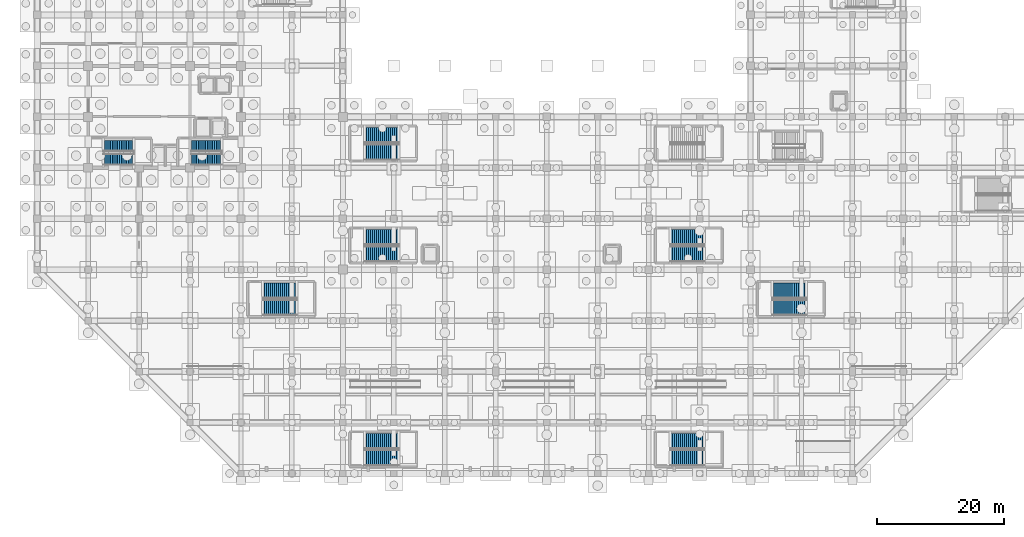
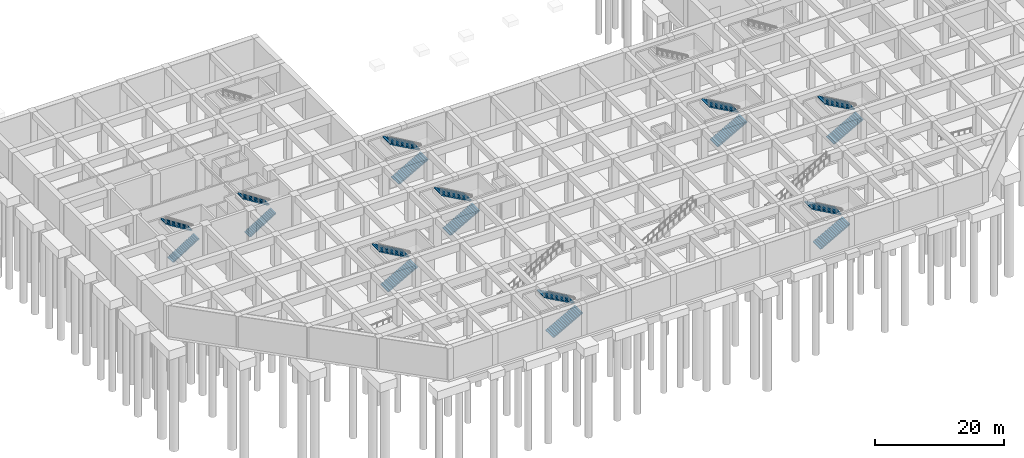
# One storey, part 20 of 26: 18 stair flights, 9 elements without a shape of their own.
"""IFC4 building model written with IfcOpenShell, lengths in metres."""

from ifc_helpers import new_model, si_unit, direction, frame, origin, place, context, subcontext, project, spatial, polyline, outline, extrude, material, type_object, element, aggregate, save


model = new_model("IFC4")

# Units and contexts
model_context = context("Model", 3, precision=1e-05, world=origin(), true_north=direction((0.0, 1.0)))
body_context = subcontext(model_context, "Body", "Model", "MODEL_VIEW")
ifc_project = project(units=[si_unit("LENGTHUNIT", "METRE"), si_unit("AREAUNIT", "SQUARE_METRE"), si_unit("VOLUMEUNIT", "CUBIC_METRE"), si_unit("PLANEANGLEUNIT", "RADIAN"), si_unit("MASSUNIT", "GRAM", prefix="KILO")], contexts=[model_context])

# Site, building, storey
site_placement = place(None, origin())
site = spatial("IfcSite", under=ifc_project, at=site_placement, CompositionType="ELEMENT")
building_placement = place(site_placement, origin())
building = spatial("IfcBuilding", under=site, at=building_placement, Name="Varnela Railside Interchange", CompositionType="ELEMENT")
storey_placement = place(building_placement, frame((0.0, 0.0, -12.60009765625)))
storey = spatial("IfcBuildingStorey", under=building, at=storey_placement, Name="B2", CompositionType="ELEMENT", Elevation=-12.60009765625)

# Stair, stair flights
ifc_material = material(Name="Concrete C40", Category="concrete")
stair_type_1 = type_object("IfcStairType", Name="Core Pressurized Stair ST-165", PredefinedType="TWO_STRAIGHT_RUN_STAIR", material=ifc_material)
stair_1_placement = place(storey_placement, origin())
stair_1 = element("IfcStair", 1, at=stair_1_placement, inside=storey, type_object=stair_type_1, Name="Stair ST-T1 (B2) (SF-034)", PredefinedType="TWO_STRAIGHT_RUN_STAIR")
stair_flight_type_1 = type_object("IfcStairFlightType", Name="Concrete Stair Flight SF-165", PredefinedType="STRAIGHT", material=ifc_material)
stair_flight_1_placement = place(storey_placement, frame((14.39990234375, 55.324951171875, 0.0), z_axis=(0.0, 0.0, 1.0), x_axis=(1.0, 0.0, 0.0)))
stair_flight_1 = element("IfcStairFlight", 2, at=stair_flight_1_placement, type_object=stair_flight_type_1, Name="ST-T1 flight 1 (SF-035)", NumberOfRisers=18, NumberOfTreads=17, PredefinedType="STRAIGHT", RiserHeight=0.175, TreadLength=0.28, context=body_context, shape_type="SweptSolid", body=[
    extrude(outline(polyline([(0.0, 0.0), (0.0, 0.175048828125), (0.280029296875, 0.175048828125), (0.280029296875, 0.35009765625), (0.56005859375, 0.35009765625), (0.56005859375, 0.52490234375), (0.840087890625, 0.52490234375), (0.840087890625, 0.699951171875), (1.1201171875, 0.699951171875), (1.1201171875, 0.875), (1.39990234375, 0.875), (1.39990234375, 1.050048828125), (1.679931640625, 1.050048828125), (1.679931640625, 1.22509765625), (1.9599609375, 1.22509765625), (1.9599609375, 1.39990234375), (2.239990234375, 1.39990234375), (2.239990234375, 1.574951171875), (2.52001953125, 1.574951171875), (2.52001953125, 1.75), (2.800048828125, 1.75), (2.800048828125, 1.925048828125), (3.080078125, 1.925048828125), (3.080078125, 2.10009765625), (3.360107421875, 2.10009765625), (3.360107421875, 2.27490234375), (3.639892578125, 2.27490234375), (3.639892578125, 2.449951171875), (3.919921875, 2.449951171875), (3.919921875, 2.625), (4.199951171875, 2.625), (4.199951171875, 2.800048828125), (4.47998046875, 2.800048828125), (4.47998046875, 2.97509765625), (4.760009765625, 2.97509765625), (4.760009765625, 3.14990234375), (4.760009765625, 2.786376953125), (0.3017578125, 0.0), (0.0, 0.0)])), frame((0.0, 0.824951171875, 0.0), z_axis=(0.0, -1.0, 0.0), x_axis=(1.0, 0.0, 0.0)), (0.0, 0.0, 1.0), 1.64990234375),
])
stair_flight_2_placement = place(storey_placement, frame((19.159912109375, 57.47509765625, 3.150146484375), z_axis=(0.0, 0.0, 1.0), x_axis=(-1.0, 0.0, 0.0)))
stair_flight_2 = element("IfcStairFlight", 3, at=stair_flight_2_placement, type_object=stair_flight_type_1, Name="ST-T1 flight 2 (SF-036)", NumberOfRisers=18, NumberOfTreads=17, PredefinedType="STRAIGHT", RiserHeight=0.175, TreadLength=0.28, context=body_context, shape_type="SweptSolid", body=[
    extrude(outline(polyline([(0.0, 0.0), (0.0, 0.175048828125), (0.280029296875, 0.175048828125), (0.280029296875, 0.35009765625), (0.56005859375, 0.35009765625), (0.56005859375, 0.52490234375), (0.840087890625, 0.52490234375), (0.840087890625, 0.699951171875), (1.1201171875, 0.699951171875), (1.1201171875, 0.875), (1.39990234375, 0.875), (1.39990234375, 1.050048828125), (1.679931640625, 1.050048828125), (1.679931640625, 1.22509765625), (1.9599609375, 1.22509765625), (1.9599609375, 1.39990234375), (2.239990234375, 1.39990234375), (2.239990234375, 1.574951171875), (2.52001953125, 1.574951171875), (2.52001953125, 1.75), (2.800048828125, 1.75), (2.800048828125, 1.925048828125), (3.080078125, 1.925048828125), (3.080078125, 2.10009765625), (3.360107421875, 2.10009765625), (3.360107421875, 2.27490234375), (3.639892578125, 2.27490234375), (3.639892578125, 2.449951171875), (3.919921875, 2.449951171875), (3.919921875, 2.625), (4.199951171875, 2.625), (4.199951171875, 2.800048828125), (4.47998046875, 2.800048828125), (4.47998046875, 2.97509765625), (4.760009765625, 2.97509765625), (4.760009765625, 3.14990234375), (4.760009765625, 2.786376953125), (0.3017578125, 0.0), (0.0, 0.0)])), frame((0.0, 0.824951171875, 0.0), z_axis=(0.0, -1.0, 0.0), x_axis=(1.0, 0.0, 0.0)), (0.0, 0.0, 1.0), 1.64990234375),
])
aggregate(stair_1, [stair_flight_1, stair_flight_2])

stair_2_placement = place(storey_placement, origin())
stair_2 = element("IfcStair", 4, at=stair_2_placement, inside=storey, type_object=stair_type_1, Name="Stair ST-T2 (B2) (SF-037)", PredefinedType="TWO_STRAIGHT_RUN_STAIR")
stair_flight_3_placement = place(storey_placement, frame((28.199951171875, 55.324951171875, 0.0), z_axis=(0.0, 0.0, 1.0), x_axis=(1.0, 0.0, 0.0)))
stair_flight_3 = element("IfcStairFlight", 5, at=stair_flight_3_placement, type_object=stair_flight_type_1, Name="ST-T2 flight 1 (SF-038)", NumberOfRisers=18, NumberOfTreads=17, PredefinedType="STRAIGHT", RiserHeight=0.175, TreadLength=0.28, context=body_context, shape_type="SweptSolid", body=[
    extrude(outline(polyline([(0.0, 0.0), (0.0, 0.175048828125), (0.280029296875, 0.175048828125), (0.280029296875, 0.35009765625), (0.56005859375, 0.35009765625), (0.56005859375, 0.52490234375), (0.840087890625, 0.52490234375), (0.840087890625, 0.699951171875), (1.1201171875, 0.699951171875), (1.1201171875, 0.875), (1.39990234375, 0.875), (1.39990234375, 1.050048828125), (1.679931640625, 1.050048828125), (1.679931640625, 1.22509765625), (1.9599609375, 1.22509765625), (1.9599609375, 1.39990234375), (2.239990234375, 1.39990234375), (2.239990234375, 1.574951171875), (2.52001953125, 1.574951171875), (2.52001953125, 1.75), (2.800048828125, 1.75), (2.800048828125, 1.925048828125), (3.080078125, 1.925048828125), (3.080078125, 2.10009765625), (3.360107421875, 2.10009765625), (3.360107421875, 2.27490234375), (3.639892578125, 2.27490234375), (3.639892578125, 2.449951171875), (3.919921875, 2.449951171875), (3.919921875, 2.625), (4.199951171875, 2.625), (4.199951171875, 2.800048828125), (4.47998046875, 2.800048828125), (4.47998046875, 2.97509765625), (4.760009765625, 2.97509765625), (4.760009765625, 3.14990234375), (4.760009765625, 2.786376953125), (0.3017578125, 0.0), (0.0, 0.0)])), frame((0.0, 0.824951171875, 0.0), z_axis=(0.0, -1.0, 0.0), x_axis=(1.0, 0.0, 0.0)), (0.0, 0.0, 1.0), 1.64990234375),
])
stair_flight_4_placement = place(storey_placement, frame((32.9599609375, 57.47509765625, 3.150146484375), z_axis=(0.0, 0.0, 1.0), x_axis=(-1.0, 0.0, 0.0)))
stair_flight_4 = element("IfcStairFlight", 6, at=stair_flight_4_placement, type_object=stair_flight_type_1, Name="ST-T2 flight 2 (SF-039)", NumberOfRisers=18, NumberOfTreads=17, PredefinedType="STRAIGHT", RiserHeight=0.175, TreadLength=0.28, context=body_context, shape_type="SweptSolid", body=[
    extrude(outline(polyline([(0.0, 0.0), (0.0, 0.175048828125), (0.280029296875, 0.175048828125), (0.280029296875, 0.35009765625), (0.56005859375, 0.35009765625), (0.56005859375, 0.52490234375), (0.840087890625, 0.52490234375), (0.840087890625, 0.699951171875), (1.1201171875, 0.699951171875), (1.1201171875, 0.875), (1.39990234375, 0.875), (1.39990234375, 1.050048828125), (1.679931640625, 1.050048828125), (1.679931640625, 1.22509765625), (1.9599609375, 1.22509765625), (1.9599609375, 1.39990234375), (2.239990234375, 1.39990234375), (2.239990234375, 1.574951171875), (2.52001953125, 1.574951171875), (2.52001953125, 1.75), (2.800048828125, 1.75), (2.800048828125, 1.925048828125), (3.080078125, 1.925048828125), (3.080078125, 2.10009765625), (3.360107421875, 2.10009765625), (3.360107421875, 2.27490234375), (3.639892578125, 2.27490234375), (3.639892578125, 2.449951171875), (3.919921875, 2.449951171875), (3.919921875, 2.625), (4.199951171875, 2.625), (4.199951171875, 2.800048828125), (4.47998046875, 2.800048828125), (4.47998046875, 2.97509765625), (4.760009765625, 2.97509765625), (4.760009765625, 3.14990234375), (4.760009765625, 2.786376953125), (0.3017578125, 0.0), (0.0, 0.0)])), frame((0.0, 0.824951171875, 0.0), z_axis=(0.0, -1.0, 0.0), x_axis=(1.0, 0.0, 0.0)), (0.0, 0.0, 1.0), 1.64990234375),
])
aggregate(stair_2, [stair_flight_3, stair_flight_4])

stair_type_2 = type_object("IfcStairType", Name="Concourse Public Stair ST-235", PredefinedType="TWO_STRAIGHT_RUN_STAIR", material=ifc_material)
stair_3_placement = place(storey_placement, origin())
stair_3 = element("IfcStair", 7, at=stair_3_placement, inside=storey, type_object=stair_type_2, Name="Stair ST-C1 (B2) (SF-001)", PredefinedType="TWO_STRAIGHT_RUN_STAIR")
stair_flight_type_2 = type_object("IfcStairFlightType", Name="Concrete Stair Flight SF-235", PredefinedType="STRAIGHT", material=ifc_material)
stair_flight_5_placement = place(storey_placement, frame((55.39990234375, 40.47509765625, 0.0), z_axis=(0.0, 0.0, 1.0), x_axis=(1.0, 0.0, 0.0)))
stair_flight_5 = element("IfcStairFlight", 8, at=stair_flight_5_placement, type_object=stair_flight_type_2, Name="ST-C1 flight 1 (SF-002)", NumberOfRisers=18, NumberOfTreads=17, PredefinedType="STRAIGHT", RiserHeight=0.175, TreadLength=0.315, context=body_context, shape_type="SweptSolid", body=[
    extrude(outline(polyline([(0.0, 0.0), (0.0, 0.175048828125), (0.31494140625, 0.175048828125), (0.31494140625, 0.35009765625), (0.6298828125, 0.35009765625), (0.6298828125, 0.52490234375), (0.945068359375, 0.52490234375), (0.945068359375, 0.699951171875), (1.260009765625, 0.699951171875), (1.260009765625, 0.875), (1.574951171875, 0.875), (1.574951171875, 1.050048828125), (1.889892578125, 1.050048828125), (1.889892578125, 1.22509765625), (2.205078125, 1.22509765625), (2.205078125, 1.39990234375), (2.52001953125, 1.39990234375), (2.52001953125, 1.574951171875), (2.8349609375, 1.574951171875), (2.8349609375, 1.75), (3.14990234375, 1.75), (3.14990234375, 1.925048828125), (3.465087890625, 1.925048828125), (3.465087890625, 2.10009765625), (3.780029296875, 2.10009765625), (3.780029296875, 2.27490234375), (4.094970703125, 2.27490234375), (4.094970703125, 2.449951171875), (4.409912109375, 2.449951171875), (4.409912109375, 2.625), (4.72509765625, 2.625), (4.72509765625, 2.800048828125), (5.0400390625, 2.800048828125), (5.0400390625, 2.97509765625), (5.35498046875, 2.97509765625), (5.35498046875, 3.14990234375), (5.35498046875, 2.7919921875), (0.329345703125, 0.0), (0.0, 0.0)])), frame((0.0, 1.175048828125, 0.0), z_axis=(0.0, -1.0, 0.0), x_axis=(1.0, 0.0, 0.0)), (0.0, 0.0, 1.0), 2.35009765625),
])
stair_flight_6_placement = place(storey_placement, frame((60.7548828125, 43.125, 3.150146484375), z_axis=(0.0, 0.0, 1.0), x_axis=(-1.0, 0.0, 0.0)))
stair_flight_6 = element("IfcStairFlight", 9, at=stair_flight_6_placement, type_object=stair_flight_type_2, Name="ST-C1 flight 2 (SF-003)", NumberOfRisers=18, NumberOfTreads=17, PredefinedType="STRAIGHT", RiserHeight=0.175, TreadLength=0.315, context=body_context, shape_type="SweptSolid", body=[
    extrude(outline(polyline([(0.0, 0.0), (0.0, 0.175048828125), (0.31494140625, 0.175048828125), (0.31494140625, 0.35009765625), (0.6298828125, 0.35009765625), (0.6298828125, 0.52490234375), (0.945068359375, 0.52490234375), (0.945068359375, 0.699951171875), (1.260009765625, 0.699951171875), (1.260009765625, 0.875), (1.574951171875, 0.875), (1.574951171875, 1.050048828125), (1.889892578125, 1.050048828125), (1.889892578125, 1.22509765625), (2.205078125, 1.22509765625), (2.205078125, 1.39990234375), (2.52001953125, 1.39990234375), (2.52001953125, 1.574951171875), (2.8349609375, 1.574951171875), (2.8349609375, 1.75), (3.14990234375, 1.75), (3.14990234375, 1.925048828125), (3.465087890625, 1.925048828125), (3.465087890625, 2.10009765625), (3.780029296875, 2.10009765625), (3.780029296875, 2.27490234375), (4.094970703125, 2.27490234375), (4.094970703125, 2.449951171875), (4.409912109375, 2.449951171875), (4.409912109375, 2.625), (4.72509765625, 2.625), (4.72509765625, 2.800048828125), (5.0400390625, 2.800048828125), (5.0400390625, 2.97509765625), (5.35498046875, 2.97509765625), (5.35498046875, 3.14990234375), (5.35498046875, 2.7919921875), (0.329345703125, 0.0), (0.0, 0.0)])), frame((0.0, 1.175048828125, 0.0), z_axis=(0.0, -1.0, 0.0), x_axis=(1.0, 0.0, 0.0)), (0.0, 0.0, 1.0), 2.35009765625),
])
aggregate(stair_3, [stair_flight_5, stair_flight_6])

stair_4_placement = place(storey_placement, origin())
stair_4 = element("IfcStair", 10, at=stair_4_placement, inside=storey, type_object=stair_type_2, Name="Stair ST-C2 (B2) (SF-004)", PredefinedType="TWO_STRAIGHT_RUN_STAIR")
stair_flight_7_placement = place(storey_placement, frame((103.39990234375, 40.47509765625, 0.0), z_axis=(0.0, 0.0, 1.0), x_axis=(1.0, 0.0, 0.0)))
stair_flight_7 = element("IfcStairFlight", 11, at=stair_flight_7_placement, type_object=stair_flight_type_2, Name="ST-C2 flight 1 (SF-005)", NumberOfRisers=18, NumberOfTreads=17, PredefinedType="STRAIGHT", RiserHeight=0.175, TreadLength=0.315, context=body_context, shape_type="SweptSolid", body=[
    extrude(outline(polyline([(0.0, 0.0), (0.0, 0.175048828125), (0.31494140625, 0.175048828125), (0.31494140625, 0.35009765625), (0.6298828125, 0.35009765625), (0.6298828125, 0.52490234375), (0.945068359375, 0.52490234375), (0.945068359375, 0.699951171875), (1.260009765625, 0.699951171875), (1.260009765625, 0.875), (1.574951171875, 0.875), (1.574951171875, 1.050048828125), (1.889892578125, 1.050048828125), (1.889892578125, 1.22509765625), (2.205078125, 1.22509765625), (2.205078125, 1.39990234375), (2.52001953125, 1.39990234375), (2.52001953125, 1.574951171875), (2.8349609375, 1.574951171875), (2.8349609375, 1.75), (3.14990234375, 1.75), (3.14990234375, 1.925048828125), (3.465087890625, 1.925048828125), (3.465087890625, 2.10009765625), (3.780029296875, 2.10009765625), (3.780029296875, 2.27490234375), (4.094970703125, 2.27490234375), (4.094970703125, 2.449951171875), (4.409912109375, 2.449951171875), (4.409912109375, 2.625), (4.72509765625, 2.625), (4.72509765625, 2.800048828125), (5.0400390625, 2.800048828125), (5.0400390625, 2.97509765625), (5.35498046875, 2.97509765625), (5.35498046875, 3.14990234375), (5.35498046875, 2.7919921875), (0.329345703125, 0.0), (0.0, 0.0)])), frame((0.0, 1.175048828125, 0.0), z_axis=(0.0, -1.0, 0.0), x_axis=(1.0, 0.0, 0.0)), (0.0, 0.0, 1.0), 2.35009765625),
])
stair_flight_8_placement = place(storey_placement, frame((108.7548828125, 43.125, 3.150146484375), z_axis=(0.0, 0.0, 1.0), x_axis=(-1.0, 0.0, 0.0)))
stair_flight_8 = element("IfcStairFlight", 12, at=stair_flight_8_placement, type_object=stair_flight_type_2, Name="ST-C2 flight 2 (SF-006)", NumberOfRisers=18, NumberOfTreads=17, PredefinedType="STRAIGHT", RiserHeight=0.175, TreadLength=0.315, context=body_context, shape_type="SweptSolid", body=[
    extrude(outline(polyline([(0.0, 0.0), (0.0, 0.175048828125), (0.31494140625, 0.175048828125), (0.31494140625, 0.35009765625), (0.6298828125, 0.35009765625), (0.6298828125, 0.52490234375), (0.945068359375, 0.52490234375), (0.945068359375, 0.699951171875), (1.260009765625, 0.699951171875), (1.260009765625, 0.875), (1.574951171875, 0.875), (1.574951171875, 1.050048828125), (1.889892578125, 1.050048828125), (1.889892578125, 1.22509765625), (2.205078125, 1.22509765625), (2.205078125, 1.39990234375), (2.52001953125, 1.39990234375), (2.52001953125, 1.574951171875), (2.8349609375, 1.574951171875), (2.8349609375, 1.75), (3.14990234375, 1.75), (3.14990234375, 1.925048828125), (3.465087890625, 1.925048828125), (3.465087890625, 2.10009765625), (3.780029296875, 2.10009765625), (3.780029296875, 2.27490234375), (4.094970703125, 2.27490234375), (4.094970703125, 2.449951171875), (4.409912109375, 2.449951171875), (4.409912109375, 2.625), (4.72509765625, 2.625), (4.72509765625, 2.800048828125), (5.0400390625, 2.800048828125), (5.0400390625, 2.97509765625), (5.35498046875, 2.97509765625), (5.35498046875, 3.14990234375), (5.35498046875, 2.7919921875), (0.329345703125, 0.0), (0.0, 0.0)])), frame((0.0, 1.175048828125, 0.0), z_axis=(0.0, -1.0, 0.0), x_axis=(1.0, 0.0, 0.0)), (0.0, 0.0, 1.0), 2.35009765625),
])
aggregate(stair_4, [stair_flight_7, stair_flight_8])

stair_5_placement = place(storey_placement, origin())
stair_5 = element("IfcStair", 13, at=stair_5_placement, inside=storey, type_object=stair_type_2, Name="Stair ST-C3 (B2) (SF-007)", PredefinedType="TWO_STRAIGHT_RUN_STAIR")
stair_flight_9_placement = place(storey_placement, frame((55.39990234375, 56.47509765625, 0.0), z_axis=(0.0, 0.0, 1.0), x_axis=(1.0, 0.0, 0.0)))
stair_flight_9 = element("IfcStairFlight", 14, at=stair_flight_9_placement, type_object=stair_flight_type_2, Name="ST-C3 flight 1 (SF-008)", NumberOfRisers=18, NumberOfTreads=17, PredefinedType="STRAIGHT", RiserHeight=0.175, TreadLength=0.315, context=body_context, shape_type="SweptSolid", body=[
    extrude(outline(polyline([(0.0, 0.0), (0.0, 0.175048828125), (0.31494140625, 0.175048828125), (0.31494140625, 0.35009765625), (0.6298828125, 0.35009765625), (0.6298828125, 0.52490234375), (0.945068359375, 0.52490234375), (0.945068359375, 0.699951171875), (1.260009765625, 0.699951171875), (1.260009765625, 0.875), (1.574951171875, 0.875), (1.574951171875, 1.050048828125), (1.889892578125, 1.050048828125), (1.889892578125, 1.22509765625), (2.205078125, 1.22509765625), (2.205078125, 1.39990234375), (2.52001953125, 1.39990234375), (2.52001953125, 1.574951171875), (2.8349609375, 1.574951171875), (2.8349609375, 1.75), (3.14990234375, 1.75), (3.14990234375, 1.925048828125), (3.465087890625, 1.925048828125), (3.465087890625, 2.10009765625), (3.780029296875, 2.10009765625), (3.780029296875, 2.27490234375), (4.094970703125, 2.27490234375), (4.094970703125, 2.449951171875), (4.409912109375, 2.449951171875), (4.409912109375, 2.625), (4.72509765625, 2.625), (4.72509765625, 2.800048828125), (5.0400390625, 2.800048828125), (5.0400390625, 2.97509765625), (5.35498046875, 2.97509765625), (5.35498046875, 3.14990234375), (5.35498046875, 2.7919921875), (0.329345703125, 0.0), (0.0, 0.0)])), frame((0.0, 1.175048828125, 0.0), z_axis=(0.0, -1.0, 0.0), x_axis=(1.0, 0.0, 0.0)), (0.0, 0.0, 1.0), 2.35009765625),
])
stair_flight_10_placement = place(storey_placement, frame((60.7548828125, 59.125, 3.150146484375), z_axis=(0.0, 0.0, 1.0), x_axis=(-1.0, 0.0, 0.0)))
stair_flight_10 = element("IfcStairFlight", 15, at=stair_flight_10_placement, type_object=stair_flight_type_2, Name="ST-C3 flight 2 (SF-009)", NumberOfRisers=18, NumberOfTreads=17, PredefinedType="STRAIGHT", RiserHeight=0.175, TreadLength=0.315, context=body_context, shape_type="SweptSolid", body=[
    extrude(outline(polyline([(0.0, 0.0), (0.0, 0.175048828125), (0.31494140625, 0.175048828125), (0.31494140625, 0.35009765625), (0.6298828125, 0.35009765625), (0.6298828125, 0.52490234375), (0.945068359375, 0.52490234375), (0.945068359375, 0.699951171875), (1.260009765625, 0.699951171875), (1.260009765625, 0.875), (1.574951171875, 0.875), (1.574951171875, 1.050048828125), (1.889892578125, 1.050048828125), (1.889892578125, 1.22509765625), (2.205078125, 1.22509765625), (2.205078125, 1.39990234375), (2.52001953125, 1.39990234375), (2.52001953125, 1.574951171875), (2.8349609375, 1.574951171875), (2.8349609375, 1.75), (3.14990234375, 1.75), (3.14990234375, 1.925048828125), (3.465087890625, 1.925048828125), (3.465087890625, 2.10009765625), (3.780029296875, 2.10009765625), (3.780029296875, 2.27490234375), (4.094970703125, 2.27490234375), (4.094970703125, 2.449951171875), (4.409912109375, 2.449951171875), (4.409912109375, 2.625), (4.72509765625, 2.625), (4.72509765625, 2.800048828125), (5.0400390625, 2.800048828125), (5.0400390625, 2.97509765625), (5.35498046875, 2.97509765625), (5.35498046875, 3.14990234375), (5.35498046875, 2.7919921875), (0.329345703125, 0.0), (0.0, 0.0)])), frame((0.0, 1.175048828125, 0.0), z_axis=(0.0, -1.0, 0.0), x_axis=(1.0, 0.0, 0.0)), (0.0, 0.0, 1.0), 2.35009765625),
])
aggregate(stair_5, [stair_flight_9, stair_flight_10])

stair_6_placement = place(storey_placement, origin())
stair_6 = element("IfcStair", 16, at=stair_6_placement, inside=storey, type_object=stair_type_2, Name="Stair ST-M1 (B2) (SF-022)", PredefinedType="TWO_STRAIGHT_RUN_STAIR")
stair_flight_11_placement = place(storey_placement, frame((39.39990234375, 32.074951171875, 0.0), z_axis=(0.0, 0.0, 1.0), x_axis=(1.0, 0.0, 0.0)))
stair_flight_11 = element("IfcStairFlight", 17, at=stair_flight_11_placement, type_object=stair_flight_type_2, Name="ST-M1 flight 1 (SF-023)", NumberOfRisers=18, NumberOfTreads=17, PredefinedType="STRAIGHT", RiserHeight=0.175, TreadLength=0.315, context=body_context, shape_type="SweptSolid", body=[
    extrude(outline(polyline([(0.0, 0.0), (0.0, 0.175048828125), (0.31494140625, 0.175048828125), (0.31494140625, 0.35009765625), (0.6298828125, 0.35009765625), (0.6298828125, 0.52490234375), (0.945068359375, 0.52490234375), (0.945068359375, 0.699951171875), (1.260009765625, 0.699951171875), (1.260009765625, 0.875), (1.574951171875, 0.875), (1.574951171875, 1.050048828125), (1.889892578125, 1.050048828125), (1.889892578125, 1.22509765625), (2.205078125, 1.22509765625), (2.205078125, 1.39990234375), (2.52001953125, 1.39990234375), (2.52001953125, 1.574951171875), (2.8349609375, 1.574951171875), (2.8349609375, 1.75), (3.14990234375, 1.75), (3.14990234375, 1.925048828125), (3.465087890625, 1.925048828125), (3.465087890625, 2.10009765625), (3.780029296875, 2.10009765625), (3.780029296875, 2.27490234375), (4.094970703125, 2.27490234375), (4.094970703125, 2.449951171875), (4.409912109375, 2.449951171875), (4.409912109375, 2.625), (4.72509765625, 2.625), (4.72509765625, 2.800048828125), (5.0400390625, 2.800048828125), (5.0400390625, 2.97509765625), (5.35498046875, 2.97509765625), (5.35498046875, 3.14990234375), (5.35498046875, 2.7919921875), (0.329345703125, 0.0), (0.0, 0.0)])), frame((0.0, 1.175048828125, 0.0), z_axis=(0.0, -1.0, 0.0), x_axis=(1.0, 0.0, 0.0)), (0.0, 0.0, 1.0), 2.35009765625),
])
stair_flight_12_placement = place(storey_placement, frame((44.7548828125, 34.72509765625, 3.150146484375), z_axis=(0.0, 0.0, 1.0), x_axis=(-1.0, 0.0, 0.0)))
stair_flight_12 = element("IfcStairFlight", 18, at=stair_flight_12_placement, type_object=stair_flight_type_2, Name="ST-M1 flight 2 (SF-024)", NumberOfRisers=18, NumberOfTreads=17, PredefinedType="STRAIGHT", RiserHeight=0.175, TreadLength=0.315, context=body_context, shape_type="SweptSolid", body=[
    extrude(outline(polyline([(0.0, 0.0), (0.0, 0.175048828125), (0.31494140625, 0.175048828125), (0.31494140625, 0.35009765625), (0.6298828125, 0.35009765625), (0.6298828125, 0.52490234375), (0.945068359375, 0.52490234375), (0.945068359375, 0.699951171875), (1.260009765625, 0.699951171875), (1.260009765625, 0.875), (1.574951171875, 0.875), (1.574951171875, 1.050048828125), (1.889892578125, 1.050048828125), (1.889892578125, 1.22509765625), (2.205078125, 1.22509765625), (2.205078125, 1.39990234375), (2.52001953125, 1.39990234375), (2.52001953125, 1.574951171875), (2.8349609375, 1.574951171875), (2.8349609375, 1.75), (3.14990234375, 1.75), (3.14990234375, 1.925048828125), (3.465087890625, 1.925048828125), (3.465087890625, 2.10009765625), (3.780029296875, 2.10009765625), (3.780029296875, 2.27490234375), (4.094970703125, 2.27490234375), (4.094970703125, 2.449951171875), (4.409912109375, 2.449951171875), (4.409912109375, 2.625), (4.72509765625, 2.625), (4.72509765625, 2.800048828125), (5.0400390625, 2.800048828125), (5.0400390625, 2.97509765625), (5.35498046875, 2.97509765625), (5.35498046875, 3.14990234375), (5.35498046875, 2.7919921875), (0.329345703125, 0.0), (0.0, 0.0)])), frame((0.0, 1.175048828125, 0.0), z_axis=(0.0, -1.0, 0.0), x_axis=(1.0, 0.0, 0.0)), (0.0, 0.0, 1.0), 2.35009765625),
])
aggregate(stair_6, [stair_flight_11, stair_flight_12])

stair_7_placement = place(storey_placement, origin())
stair_7 = element("IfcStair", 19, at=stair_7_placement, inside=storey, type_object=stair_type_2, Name="Stair ST-M2 (B2) (SF-025)", PredefinedType="TWO_STRAIGHT_RUN_STAIR")
stair_flight_13_placement = place(storey_placement, frame((119.39990234375, 32.074951171875, 0.0), z_axis=(0.0, 0.0, 1.0), x_axis=(1.0, 0.0, 0.0)))
stair_flight_13 = element("IfcStairFlight", 20, at=stair_flight_13_placement, type_object=stair_flight_type_2, Name="ST-M2 flight 1 (SF-026)", NumberOfRisers=18, NumberOfTreads=17, PredefinedType="STRAIGHT", RiserHeight=0.175, TreadLength=0.315, context=body_context, shape_type="SweptSolid", body=[
    extrude(outline(polyline([(0.0, 0.0), (0.0, 0.175048828125), (0.31494140625, 0.175048828125), (0.31494140625, 0.35009765625), (0.6298828125, 0.35009765625), (0.6298828125, 0.52490234375), (0.945068359375, 0.52490234375), (0.945068359375, 0.699951171875), (1.260009765625, 0.699951171875), (1.260009765625, 0.875), (1.574951171875, 0.875), (1.574951171875, 1.050048828125), (1.889892578125, 1.050048828125), (1.889892578125, 1.22509765625), (2.205078125, 1.22509765625), (2.205078125, 1.39990234375), (2.52001953125, 1.39990234375), (2.52001953125, 1.574951171875), (2.8349609375, 1.574951171875), (2.8349609375, 1.75), (3.14990234375, 1.75), (3.14990234375, 1.925048828125), (3.465087890625, 1.925048828125), (3.465087890625, 2.10009765625), (3.780029296875, 2.10009765625), (3.780029296875, 2.27490234375), (4.094970703125, 2.27490234375), (4.094970703125, 2.449951171875), (4.409912109375, 2.449951171875), (4.409912109375, 2.625), (4.72509765625, 2.625), (4.72509765625, 2.800048828125), (5.0400390625, 2.800048828125), (5.0400390625, 2.97509765625), (5.35498046875, 2.97509765625), (5.35498046875, 3.14990234375), (5.35498046875, 2.7919921875), (0.329345703125, 0.0), (0.0, 0.0)])), frame((0.0, 1.175048828125, 0.0), z_axis=(0.0, -1.0, 0.0), x_axis=(1.0, 0.0, 0.0)), (0.0, 0.0, 1.0), 2.35009765625),
])
stair_flight_14_placement = place(storey_placement, frame((124.7548828125, 34.72509765625, 3.150146484375), z_axis=(0.0, 0.0, 1.0), x_axis=(-1.0, 0.0, 0.0)))
stair_flight_14 = element("IfcStairFlight", 21, at=stair_flight_14_placement, type_object=stair_flight_type_2, Name="ST-M2 flight 2 (SF-027)", NumberOfRisers=18, NumberOfTreads=17, PredefinedType="STRAIGHT", RiserHeight=0.175, TreadLength=0.315, context=body_context, shape_type="SweptSolid", body=[
    extrude(outline(polyline([(0.0, 0.0), (0.0, 0.175048828125), (0.31494140625, 0.175048828125), (0.31494140625, 0.35009765625), (0.6298828125, 0.35009765625), (0.6298828125, 0.52490234375), (0.945068359375, 0.52490234375), (0.945068359375, 0.699951171875), (1.260009765625, 0.699951171875), (1.260009765625, 0.875), (1.574951171875, 0.875), (1.574951171875, 1.050048828125), (1.889892578125, 1.050048828125), (1.889892578125, 1.22509765625), (2.205078125, 1.22509765625), (2.205078125, 1.39990234375), (2.52001953125, 1.39990234375), (2.52001953125, 1.574951171875), (2.8349609375, 1.574951171875), (2.8349609375, 1.75), (3.14990234375, 1.75), (3.14990234375, 1.925048828125), (3.465087890625, 1.925048828125), (3.465087890625, 2.10009765625), (3.780029296875, 2.10009765625), (3.780029296875, 2.27490234375), (4.094970703125, 2.27490234375), (4.094970703125, 2.449951171875), (4.409912109375, 2.449951171875), (4.409912109375, 2.625), (4.72509765625, 2.625), (4.72509765625, 2.800048828125), (5.0400390625, 2.800048828125), (5.0400390625, 2.97509765625), (5.35498046875, 2.97509765625), (5.35498046875, 3.14990234375), (5.35498046875, 2.7919921875), (0.329345703125, 0.0), (0.0, 0.0)])), frame((0.0, 1.175048828125, 0.0), z_axis=(0.0, -1.0, 0.0), x_axis=(1.0, 0.0, 0.0)), (0.0, 0.0, 1.0), 2.35009765625),
])
aggregate(stair_7, [stair_flight_13, stair_flight_14])

stair_8_placement = place(storey_placement, origin())
stair_8 = element("IfcStair", 22, at=stair_8_placement, inside=storey, type_object=stair_type_2, Name="Stair ST-M3 (B2) (SF-028)", PredefinedType="TWO_STRAIGHT_RUN_STAIR")
stair_flight_15_placement = place(storey_placement, frame((55.39990234375, 8.47509765625, 0.0), z_axis=(0.0, 0.0, 1.0), x_axis=(1.0, 0.0, 0.0)))
stair_flight_15 = element("IfcStairFlight", 23, at=stair_flight_15_placement, type_object=stair_flight_type_2, Name="ST-M3 flight 1 (SF-029)", NumberOfRisers=18, NumberOfTreads=17, PredefinedType="STRAIGHT", RiserHeight=0.175, TreadLength=0.315, context=body_context, shape_type="SweptSolid", body=[
    extrude(outline(polyline([(0.0, 0.0), (0.0, 0.175048828125), (0.31494140625, 0.175048828125), (0.31494140625, 0.35009765625), (0.6298828125, 0.35009765625), (0.6298828125, 0.52490234375), (0.945068359375, 0.52490234375), (0.945068359375, 0.699951171875), (1.260009765625, 0.699951171875), (1.260009765625, 0.875), (1.574951171875, 0.875), (1.574951171875, 1.050048828125), (1.889892578125, 1.050048828125), (1.889892578125, 1.22509765625), (2.205078125, 1.22509765625), (2.205078125, 1.39990234375), (2.52001953125, 1.39990234375), (2.52001953125, 1.574951171875), (2.8349609375, 1.574951171875), (2.8349609375, 1.75), (3.14990234375, 1.75), (3.14990234375, 1.925048828125), (3.465087890625, 1.925048828125), (3.465087890625, 2.10009765625), (3.780029296875, 2.10009765625), (3.780029296875, 2.27490234375), (4.094970703125, 2.27490234375), (4.094970703125, 2.449951171875), (4.409912109375, 2.449951171875), (4.409912109375, 2.625), (4.72509765625, 2.625), (4.72509765625, 2.800048828125), (5.0400390625, 2.800048828125), (5.0400390625, 2.97509765625), (5.35498046875, 2.97509765625), (5.35498046875, 3.14990234375), (5.35498046875, 2.7919921875), (0.329345703125, 0.0), (0.0, 0.0)])), frame((0.0, 1.175048828125, 0.0), z_axis=(0.0, -1.0, 0.0), x_axis=(1.0, 0.0, 0.0)), (0.0, 0.0, 1.0), 2.35009765625),
])
stair_flight_16_placement = place(storey_placement, frame((60.7548828125, 11.125, 3.150146484375), z_axis=(0.0, 0.0, 1.0), x_axis=(-1.0, 0.0, 0.0)))
stair_flight_16 = element("IfcStairFlight", 24, at=stair_flight_16_placement, type_object=stair_flight_type_2, Name="ST-M3 flight 2 (SF-030)", NumberOfRisers=18, NumberOfTreads=17, PredefinedType="STRAIGHT", RiserHeight=0.175, TreadLength=0.315, context=body_context, shape_type="SweptSolid", body=[
    extrude(outline(polyline([(0.0, 0.0), (0.0, 0.175048828125), (0.31494140625, 0.175048828125), (0.31494140625, 0.35009765625), (0.6298828125, 0.35009765625), (0.6298828125, 0.52490234375), (0.945068359375, 0.52490234375), (0.945068359375, 0.699951171875), (1.260009765625, 0.699951171875), (1.260009765625, 0.875), (1.574951171875, 0.875), (1.574951171875, 1.050048828125), (1.889892578125, 1.050048828125), (1.889892578125, 1.22509765625), (2.205078125, 1.22509765625), (2.205078125, 1.39990234375), (2.52001953125, 1.39990234375), (2.52001953125, 1.574951171875), (2.8349609375, 1.574951171875), (2.8349609375, 1.75), (3.14990234375, 1.75), (3.14990234375, 1.925048828125), (3.465087890625, 1.925048828125), (3.465087890625, 2.10009765625), (3.780029296875, 2.10009765625), (3.780029296875, 2.27490234375), (4.094970703125, 2.27490234375), (4.094970703125, 2.449951171875), (4.409912109375, 2.449951171875), (4.409912109375, 2.625), (4.72509765625, 2.625), (4.72509765625, 2.800048828125), (5.0400390625, 2.800048828125), (5.0400390625, 2.97509765625), (5.35498046875, 2.97509765625), (5.35498046875, 3.14990234375), (5.35498046875, 2.7919921875), (0.329345703125, 0.0), (0.0, 0.0)])), frame((0.0, 1.175048828125, 0.0), z_axis=(0.0, -1.0, 0.0), x_axis=(1.0, 0.0, 0.0)), (0.0, 0.0, 1.0), 2.35009765625),
])
aggregate(stair_8, [stair_flight_15, stair_flight_16])

stair_9_placement = place(storey_placement, origin())
stair_9 = element("IfcStair", 25, at=stair_9_placement, inside=storey, type_object=stair_type_2, Name="Stair ST-M4 (B2) (SF-031)", PredefinedType="TWO_STRAIGHT_RUN_STAIR")
stair_flight_17_placement = place(storey_placement, frame((103.39990234375, 8.47509765625, 0.0), z_axis=(0.0, 0.0, 1.0), x_axis=(1.0, 0.0, 0.0)))
stair_flight_17 = element("IfcStairFlight", 26, at=stair_flight_17_placement, type_object=stair_flight_type_2, Name="ST-M4 flight 1 (SF-032)", NumberOfRisers=18, NumberOfTreads=17, PredefinedType="STRAIGHT", RiserHeight=0.175, TreadLength=0.315, context=body_context, shape_type="SweptSolid", body=[
    extrude(outline(polyline([(0.0, 0.0), (0.0, 0.175048828125), (0.31494140625, 0.175048828125), (0.31494140625, 0.35009765625), (0.6298828125, 0.35009765625), (0.6298828125, 0.52490234375), (0.945068359375, 0.52490234375), (0.945068359375, 0.699951171875), (1.260009765625, 0.699951171875), (1.260009765625, 0.875), (1.574951171875, 0.875), (1.574951171875, 1.050048828125), (1.889892578125, 1.050048828125), (1.889892578125, 1.22509765625), (2.205078125, 1.22509765625), (2.205078125, 1.39990234375), (2.52001953125, 1.39990234375), (2.52001953125, 1.574951171875), (2.8349609375, 1.574951171875), (2.8349609375, 1.75), (3.14990234375, 1.75), (3.14990234375, 1.925048828125), (3.465087890625, 1.925048828125), (3.465087890625, 2.10009765625), (3.780029296875, 2.10009765625), (3.780029296875, 2.27490234375), (4.094970703125, 2.27490234375), (4.094970703125, 2.449951171875), (4.409912109375, 2.449951171875), (4.409912109375, 2.625), (4.72509765625, 2.625), (4.72509765625, 2.800048828125), (5.0400390625, 2.800048828125), (5.0400390625, 2.97509765625), (5.35498046875, 2.97509765625), (5.35498046875, 3.14990234375), (5.35498046875, 2.7919921875), (0.329345703125, 0.0), (0.0, 0.0)])), frame((0.0, 1.175048828125, 0.0), z_axis=(0.0, -1.0, 0.0), x_axis=(1.0, 0.0, 0.0)), (0.0, 0.0, 1.0), 2.35009765625),
])
stair_flight_18_placement = place(storey_placement, frame((108.7548828125, 11.125, 3.150146484375), z_axis=(0.0, 0.0, 1.0), x_axis=(-1.0, 0.0, 0.0)))
stair_flight_18 = element("IfcStairFlight", 27, at=stair_flight_18_placement, type_object=stair_flight_type_2, Name="ST-M4 flight 2 (SF-033)", NumberOfRisers=18, NumberOfTreads=17, PredefinedType="STRAIGHT", RiserHeight=0.175, TreadLength=0.315, context=body_context, shape_type="SweptSolid", body=[
    extrude(outline(polyline([(0.0, 0.0), (0.0, 0.175048828125), (0.31494140625, 0.175048828125), (0.31494140625, 0.35009765625), (0.6298828125, 0.35009765625), (0.6298828125, 0.52490234375), (0.945068359375, 0.52490234375), (0.945068359375, 0.699951171875), (1.260009765625, 0.699951171875), (1.260009765625, 0.875), (1.574951171875, 0.875), (1.574951171875, 1.050048828125), (1.889892578125, 1.050048828125), (1.889892578125, 1.22509765625), (2.205078125, 1.22509765625), (2.205078125, 1.39990234375), (2.52001953125, 1.39990234375), (2.52001953125, 1.574951171875), (2.8349609375, 1.574951171875), (2.8349609375, 1.75), (3.14990234375, 1.75), (3.14990234375, 1.925048828125), (3.465087890625, 1.925048828125), (3.465087890625, 2.10009765625), (3.780029296875, 2.10009765625), (3.780029296875, 2.27490234375), (4.094970703125, 2.27490234375), (4.094970703125, 2.449951171875), (4.409912109375, 2.449951171875), (4.409912109375, 2.625), (4.72509765625, 2.625), (4.72509765625, 2.800048828125), (5.0400390625, 2.800048828125), (5.0400390625, 2.97509765625), (5.35498046875, 2.97509765625), (5.35498046875, 3.14990234375), (5.35498046875, 2.7919921875), (0.329345703125, 0.0), (0.0, 0.0)])), frame((0.0, 1.175048828125, 0.0), z_axis=(0.0, -1.0, 0.0), x_axis=(1.0, 0.0, 0.0)), (0.0, 0.0, 1.0), 2.35009765625),
])
aggregate(stair_9, [stair_flight_17, stair_flight_18])

save(model, "model.ifc")
